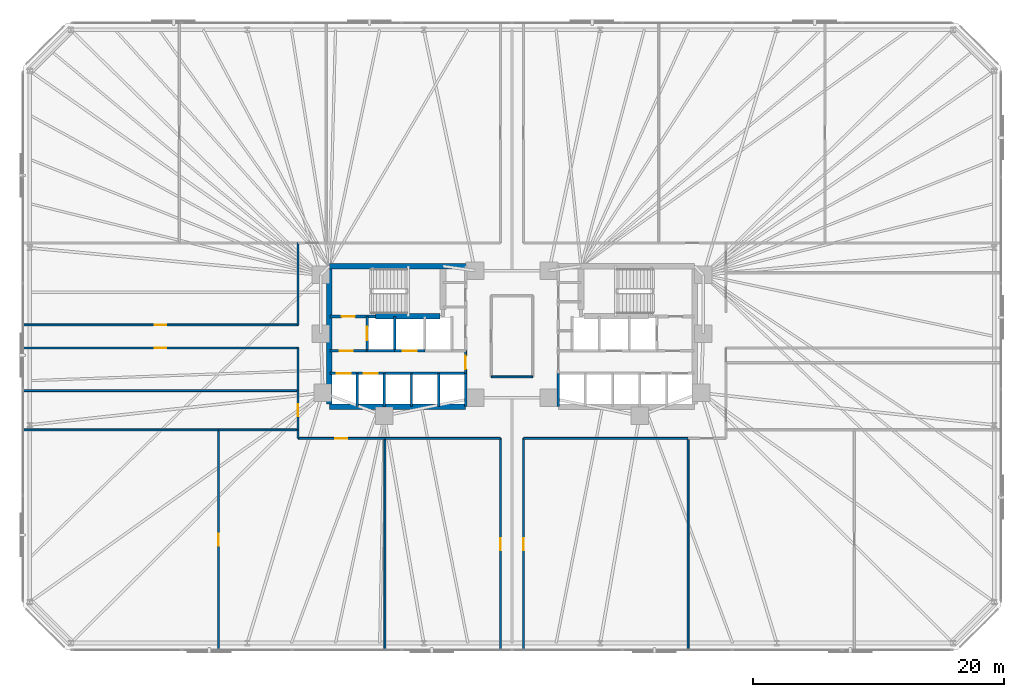
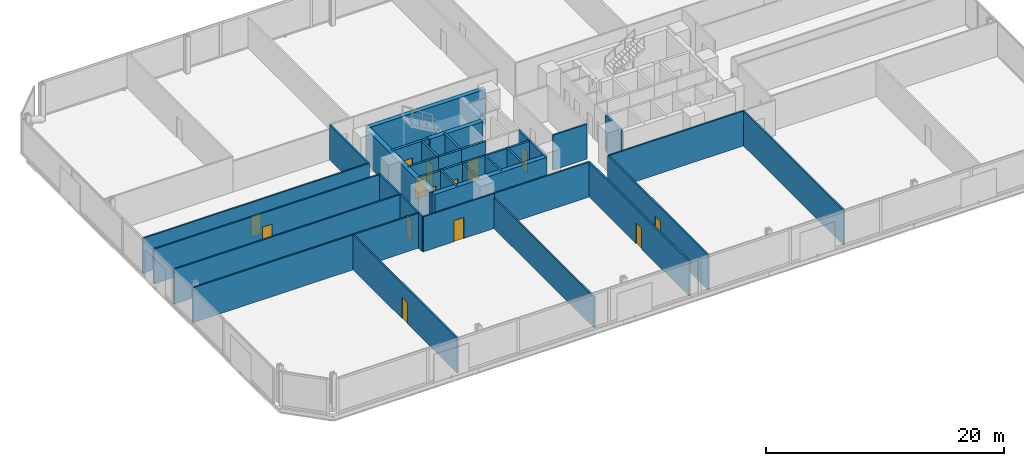
# One storey, part 12 of 17: 36 walls, 14 doors, 14 openings.
"""IFC4 building model written with IfcOpenShell, lengths in metres."""

from ifc_helpers import new_model, si_unit, direction, frame, frame_2d, origin, place, context, subcontext, project, spatial, rectangle, extrude, material, layer, layer_set, type_object, element, fill, save


model = new_model("IFC4")

# Units and contexts
model_context = context("Model", 3, precision=1e-05, world=origin(), true_north=direction((0.0, 1.0)))
body_context = subcontext(model_context, "Body", "Model", "MODEL_VIEW")
ifc_project = project(units=[si_unit("LENGTHUNIT", "METRE"), si_unit("AREAUNIT", "SQUARE_METRE"), si_unit("VOLUMEUNIT", "CUBIC_METRE"), si_unit("PLANEANGLEUNIT", "RADIAN"), si_unit("MASSUNIT", "GRAM", prefix="KILO")], contexts=[model_context])

# Site, building, storey
site_placement = place(None, origin())
site = spatial("IfcSite", under=ifc_project, at=site_placement, CompositionType="ELEMENT")
building_placement = place(site_placement, origin())
building = spatial("IfcBuilding", under=site, at=building_placement, Name="Menara Jurai Vektor", CompositionType="ELEMENT")
storey_placement = place(building_placement, frame((0.0, 0.0, 18.0)))
storey = spatial("IfcBuildingStorey", under=building, at=storey_placement, Name="L03", CompositionType="ELEMENT", Elevation=18.0)

# Wall, opening, door
ifc_material_1 = material(Name="Concrete C40/50", Category="concrete")
ifc_layer_1 = layer(ifc_material_1, 0.25)
ifc_layer_set_1 = layer_set([ifc_layer_1], Name="Concrete C40/50")
wall_type_1 = type_object("IfcWallType", Name="INT-WALL-CORE-250", PredefinedType="STANDARD", material=ifc_layer_set_1)
wall_1_placement = place(storey_placement, frame((-14.5, 1.60009765625, 0.0), z_axis=(0.0, 0.0, 1.0), x_axis=(1.0, 0.0, 0.0)))
wall_1 = element("IfcWall", 1, at=wall_1_placement, inside=storey, type_object=wall_type_1, Name="Interior Wall IW-250 L03", PredefinedType="STANDARD", context=body_context, shape_type="SweptSolid", body=[
    extrude(rectangle(XDim=3.60009765625, YDim=0.25, at=frame_2d((1.800048828125, 0.0))), origin(), (0.0, 0.0, 1.0), 3.574951171875),
])
opening_1_placement = place(wall_1_placement, frame((0.919921875, 0.0, 0.0)))
opening_1 = element("IfcOpeningElement", 2, at=opening_1_placement, cuts=wall_1, Name="Opening D-L03-ST1", PredefinedType="OPENING", context=body_context, shape_type="SweptSolid", body=[
    extrude(rectangle(XDim=1.050048828125, YDim=2.14990234375, at=frame_2d((0.52490234375, 1.074951171875))), frame((0.0, 0.135009765625, 0.0), z_axis=(0.0, -1.0, 0.0), x_axis=(1.0, 0.0, 0.0)), (0.0, 0.0, 1.0), 0.27001953125),
])
ifc_material_2 = material(Name="Fire-Rated Steel Door", Category="steel")
door_type_1 = type_object("IfcDoorType", Name="DR-STAIR-1050", OperationType="NOTDEFINED", PredefinedType="DOOR", material=ifc_material_2)
door_1_placement = place(opening_1_placement, origin())
door_1 = element("IfcDoor", 3, at=door_1_placement, inside=storey, type_object=door_type_1, Name="Exit Stair ST1 Door L03", OperationType="SINGLE_SWING_RIGHT", OverallHeight=2.14990234375, OverallWidth=1.050048828125, PredefinedType="DOOR", context=body_context, shape_type="SweptSolid", body=[
    extrude(rectangle(XDim=1.050048828125, YDim=2.14990234375, at=frame_2d((0.52490234375, 1.074951171875))), frame((0.0, 0.02490234375, 0.0), z_axis=(0.0, -1.0, 0.0), x_axis=(1.0, 0.0, 0.0)), (0.0, 0.0, 1.0), 0.050048828125),
])
fill(opening_1, door_1)

wall_2_placement = place(storey_placement, frame((-11.550048828125, -1.14990234375, 0.0), z_axis=(0.0, 0.0, 1.0), x_axis=(0.0, 1.0, 0.0)))
wall_2 = element("IfcWall", 4, at=wall_2_placement, inside=storey, type_object=wall_type_1, Name="Interior Wall IW-250 L03", PredefinedType="STANDARD", context=body_context, shape_type="SweptSolid", body=[
    extrude(rectangle(XDim=2.75, YDim=0.199951171875, at=frame_2d((1.375, 0.0))), origin(), (0.0, 0.0, 1.0), 3.574951171875),
])
opening_2_placement = place(wall_2_placement, frame((0.824951171875, 0.0, 0.0)))
opening_2 = element("IfcOpeningElement", 5, at=opening_2_placement, cuts=wall_2, Name="Opening LD-L03-FL1", PredefinedType="OPENING", context=body_context, shape_type="SweptSolid", body=[
    extrude(rectangle(XDim=1.10009765625, YDim=2.14990234375, at=frame_2d((0.550048828125, 1.074951171875))), frame((0.0, 0.10986328125, 0.0), z_axis=(0.0, -1.0, 0.0), x_axis=(1.0, 0.0, 0.0)), (0.0, 0.0, 1.0), 0.219970703125),
])
ifc_material_3 = material(Name="Stainless Steel Sliding Lift Landing Door", Category="steel")
door_type_2 = type_object("IfcDoorType", Name="DR-LIFT-FIRE-1100", OperationType="NOTDEFINED", PredefinedType="DOOR", material=ifc_material_3)
door_2_placement = place(opening_2_placement, origin())
door_2 = element("IfcDoor", 6, at=door_2_placement, inside=storey, type_object=door_type_2, Name="Lift Landing Door FL1 L03", OperationType="SLIDING_TO_RIGHT", OverallHeight=2.14990234375, OverallWidth=1.10009765625, PredefinedType="DOOR", context=body_context, shape_type="SweptSolid", body=[
    extrude(rectangle(XDim=1.10009765625, YDim=2.14990234375, at=frame_2d((0.550048828125, 1.074951171875))), frame((0.0, 0.02490234375, 0.0), z_axis=(0.0, -1.0, 0.0), x_axis=(1.0, 0.0, 0.0)), (0.0, 0.0, 1.0), 0.050048828125),
])
fill(opening_2, door_2)

# Wall
wall_3_placement = place(storey_placement, frame((-9.35009765625, -1.14990234375, 0.0), z_axis=(0.0, 0.0, 1.0), x_axis=(0.0, 1.0, 0.0)))
element("IfcWall", 7, at=wall_3_placement, inside=storey, type_object=wall_type_1, Name="Interior Wall IW-250 L03", PredefinedType="STANDARD", context=body_context, shape_type="SweptSolid", body=[
    extrude(rectangle(XDim=2.75, YDim=0.199951171875, at=frame_2d((1.375, 0.0))), origin(), (0.0, 0.0, 1.0), 3.574951171875),
])

# Wall, opening, door
wall_4_placement = place(storey_placement, frame((-14.5, -1.14990234375, 0.0), z_axis=(0.0, 0.0, 1.0), x_axis=(1.0, 0.0, 0.0)))
wall_4 = element("IfcWall", 8, at=wall_4_placement, inside=storey, type_object=wall_type_1, Name="Interior Wall IW-250 L03", PredefinedType="STANDARD", context=body_context, shape_type="SweptSolid", body=[
    extrude(rectangle(XDim=2.949951171875, YDim=0.199951171875, at=frame_2d((1.47509765625, 0.0))), origin(), (0.0, 0.0, 1.0), 3.574951171875),
])
opening_3_placement = place(wall_4_placement, frame((0.75, 0.0, 0.0)))
opening_3 = element("IfcOpeningElement", 9, at=opening_3_placement, cuts=wall_4, Name="Opening D-L03-FFW", PredefinedType="OPENING", context=body_context, shape_type="SweptSolid", body=[
    extrude(rectangle(XDim=1.050048828125, YDim=2.179931640625, at=frame_2d((0.52490234375, 1.08984375))), frame((0.0, 0.10986328125, 0.0), z_axis=(0.0, -1.0, 0.0), x_axis=(1.0, 0.0, 0.0)), (0.0, 0.0, 1.0), 0.219970703125),
])
ifc_material_4 = material(Name="Fire-Rated Timber Door", Category="wood")
door_type_3 = type_object("IfcDoorType", Name="DR-LOBBY-1050", OperationType="NOTDEFINED", PredefinedType="DOOR", material=ifc_material_4)
door_3_placement = place(opening_3_placement, origin())
door_3 = element("IfcDoor", 10, at=door_3_placement, inside=storey, type_object=door_type_3, Name="Fire Lift Lobby Door W L03", OperationType="SINGLE_SWING_RIGHT", OverallHeight=2.179931640625, OverallWidth=1.050048828125, PredefinedType="DOOR", context=body_context, shape_type="SweptSolid", body=[
    extrude(rectangle(XDim=1.050048828125, YDim=2.179931640625, at=frame_2d((0.52490234375, 1.08984375))), frame((0.0, 0.02490234375, 0.0), z_axis=(0.0, -1.0, 0.0), x_axis=(1.0, 0.0, 0.0)), (0.0, 0.0, 1.0), 0.050048828125),
])
fill(opening_3, door_3)

# Wall
wall_5_placement = place(storey_placement, frame((-11.550048828125, -1.14990234375, 0.0), z_axis=(0.0, 0.0, 1.0), x_axis=(1.0, 0.0, 0.0)))
element("IfcWall", 11, at=wall_5_placement, inside=storey, type_object=wall_type_1, Name="Interior Wall IW-250 L03", PredefinedType="STANDARD", context=body_context, shape_type="SweptSolid", body=[
    extrude(rectangle(XDim=2.199951171875, YDim=0.199951171875, at=frame_2d((1.10009765625, 0.0))), origin(), (0.0, 0.0, 1.0), 3.574951171875),
])

# Wall, opening, door
ifc_material_5 = material(Name="Gypsum Fireboard Partition", Category="gypsum")
ifc_layer_2 = layer(ifc_material_5, 0.14990234375)
ifc_layer_set_2 = layer_set([ifc_layer_2], Name="Gypsum Fireboard Partition")
wall_type_2 = type_object("IfcWallType", Name="INT-WALL-CORR-150", PredefinedType="PARTITIONING", material=ifc_layer_set_2)
wall_6_placement = place(storey_placement, frame((-3.699951171875, -2.949951171875, 0.0), z_axis=(0.0, 0.0, 1.0), x_axis=(0.0, 1.0, 0.0)))
wall_6 = element("IfcWall", 12, at=wall_6_placement, inside=storey, type_object=wall_type_2, Name="Interior Wall IW-150 L03", PredefinedType="PARTITIONING", context=body_context, shape_type="SweptSolid", body=[
    extrude(rectangle(XDim=1.800048828125, YDim=0.14990234375, at=frame_2d((0.89990234375, 0.0))), origin(), (0.0, 0.0, 1.0), 3.574951171875),
])
opening_4_placement = place(wall_6_placement, frame((0.35009765625, 0.0, 0.0)))
opening_4 = element("IfcOpeningElement", 13, at=opening_4_placement, cuts=wall_6, Name="Opening D-L03-LLW", PredefinedType="OPENING", context=body_context, shape_type="SweptSolid", body=[
    extrude(rectangle(XDim=1.050048828125, YDim=2.179931640625, at=frame_2d((0.52490234375, 1.08984375))), frame((0.0, 0.0849609375, 0.0), z_axis=(0.0, -1.0, 0.0), x_axis=(1.0, 0.0, 0.0)), (0.0, 0.0, 1.0), 0.169921875),
])
door_4_placement = place(opening_4_placement, origin())
door_4 = element("IfcDoor", 14, at=door_4_placement, inside=storey, type_object=door_type_3, Name="Lift Lobby Corridor Door W L03", OperationType="SINGLE_SWING_LEFT", OverallHeight=2.179931640625, OverallWidth=1.050048828125, PredefinedType="DOOR", context=body_context, shape_type="SweptSolid", body=[
    extrude(rectangle(XDim=1.050048828125, YDim=2.179931640625, at=frame_2d((0.52490234375, 1.08984375))), frame((0.0, 0.02490234375, 0.0), z_axis=(0.0, -1.0, 0.0), x_axis=(1.0, 0.0, 0.0)), (0.0, 0.0, 1.0), 0.050048828125),
])
fill(opening_4, door_4)

# Walls
wall_7_placement = place(storey_placement, frame((-1.64990234375, -3.22998046875, 0.0), z_axis=(0.0, 0.0, 1.0), x_axis=(1.0, 0.0, 0.0)))
element("IfcWall", 15, at=wall_7_placement, inside=storey, type_object=wall_type_2, Name="Interior Wall IW-150 L03", PredefinedType="PARTITIONING", context=body_context, shape_type="SweptSolid", body=[
    extrude(rectangle(XDim=3.2998046875, YDim=0.14990234375, at=frame_2d((1.64990234375, 0.0))), origin(), (0.0, 0.0, 1.0), 3.574951171875),
])
wall_8_placement = place(storey_placement, frame((-17.05908203125, -8.1298828125, 0.0), z_axis=(0.0, 0.0, 1.0), x_axis=(0.0, 1.0, 0.0)))
element("IfcWall", 16, at=wall_8_placement, inside=storey, type_object=wall_type_2, Name="Interior Wall IW-150 L03", PredefinedType="PARTITIONING", context=body_context, shape_type="SweptSolid", body=[
    extrude(rectangle(XDim=0.679931640625, YDim=0.14990234375, at=frame_2d((0.33984375, 0.0))), origin(), (0.0, 0.0, 1.0), 3.574951171875),
])

# Wall, opening, door
wall_9_placement = place(storey_placement, frame((-17.05908203125, -8.1298828125, 0.0), z_axis=(0.0, 0.0, 1.0), x_axis=(1.0, 0.0, 0.0)))
wall_9 = element("IfcWall", 17, at=wall_9_placement, inside=storey, type_object=wall_type_2, Name="Interior Wall IW-150 L03", PredefinedType="PARTITIONING", context=body_context, shape_type="SweptSolid", body=[
    extrude(rectangle(XDim=6.919189453125, YDim=0.14990234375, at=frame_2d((3.45947265625, 0.0))), origin(), (0.0, 0.0, 1.0), 3.574951171875),
])
opening_5_placement = place(wall_9_placement, frame((2.984619140625, 0.0, 0.0)))
opening_5 = element("IfcOpeningElement", 18, at=opening_5_placement, cuts=wall_9, Name="Opening D03-11", PredefinedType="OPENING", context=body_context, shape_type="SweptSolid", body=[
    extrude(rectangle(XDim=0.949951171875, YDim=2.14990234375, at=frame_2d((0.47509765625, 1.074951171875))), frame((0.0, 0.0849609375, 0.0), z_axis=(0.0, -1.0, 0.0), x_axis=(1.0, 0.0, 0.0)), (0.0, 0.0, 1.0), 0.169921875),
])
ifc_material_6 = material(Name="Solid Core Timber Fire Door", Category="wood")
door_type_4 = type_object("IfcDoorType", Name="DR-ENTRY-950", OperationType="NOTDEFINED", PredefinedType="DOOR", material=ifc_material_6)
door_5_placement = place(opening_5_placement, origin())
door_5 = element("IfcDoor", 19, at=door_5_placement, inside=storey, type_object=door_type_4, Name="Interior Door D03-11", OperationType="SINGLE_SWING_RIGHT", OverallHeight=2.14990234375, OverallWidth=0.949951171875, PredefinedType="DOOR", context=body_context, shape_type="SweptSolid", body=[
    extrude(rectangle(XDim=0.949951171875, YDim=2.14990234375, at=frame_2d((0.47509765625, 1.074951171875))), frame((0.0, 0.02490234375, 0.0), z_axis=(0.0, -1.0, 0.0), x_axis=(1.0, 0.0, 0.0)), (0.0, 0.0, 1.0), 0.050048828125),
])
fill(opening_5, door_5)

# Wall
wall_10_placement = place(storey_placement, frame((-10.139892578125, -8.1298828125, 0.0), z_axis=(0.0, 0.0, 1.0), x_axis=(1.0, 0.0, 0.0)))
element("IfcWall", 20, at=wall_10_placement, inside=storey, type_object=wall_type_2, Name="Interior Wall IW-150 L03", PredefinedType="PARTITIONING", context=body_context, shape_type="SweptSolid", body=[
    extrude(rectangle(XDim=9.219970703125, YDim=0.14990234375, at=frame_2d((4.60986328125, 0.0))), origin(), (0.0, 0.0, 1.0), 3.574951171875),
])

# Wall, opening, door
wall_11_placement = place(storey_placement, frame((-0.919921875, -25.0, 0.0), z_axis=(0.0, 0.0, 1.0), x_axis=(0.0, 1.0, 0.0)))
wall_11 = element("IfcWall", 21, at=wall_11_placement, inside=storey, type_object=wall_type_2, Name="Interior Wall IW-150 L03", PredefinedType="PARTITIONING", context=body_context, shape_type="SweptSolid", body=[
    extrude(rectangle(XDim=16.8701171875, YDim=0.14990234375, at=frame_2d((8.43505859375, 0.0))), origin(), (0.0, 0.0, 1.0), 3.574951171875),
])
opening_6_placement = place(wall_11_placement, frame((7.9599609375, 0.0, 0.0)))
opening_6 = element("IfcOpeningElement", 22, at=opening_6_placement, cuts=wall_11, Name="Opening D03-12", PredefinedType="OPENING", context=body_context, shape_type="SweptSolid", body=[
    extrude(rectangle(XDim=0.949951171875, YDim=2.14990234375, at=frame_2d((0.47509765625, 1.074951171875))), frame((0.0, 0.0849609375, 0.0), z_axis=(0.0, -1.0, 0.0), x_axis=(1.0, 0.0, 0.0)), (0.0, 0.0, 1.0), 0.169921875),
])
door_6_placement = place(opening_6_placement, origin())
door_6 = element("IfcDoor", 23, at=door_6_placement, inside=storey, type_object=door_type_4, Name="Interior Door D03-12", OperationType="SINGLE_SWING_LEFT", OverallHeight=2.14990234375, OverallWidth=0.949951171875, PredefinedType="DOOR", context=body_context, shape_type="SweptSolid", body=[
    extrude(rectangle(XDim=0.949951171875, YDim=2.14990234375, at=frame_2d((0.47509765625, 1.074951171875))), frame((0.0, 0.02490234375, 0.0), z_axis=(0.0, -1.0, 0.0), x_axis=(1.0, 0.0, 0.0)), (0.0, 0.0, 1.0), 0.050048828125),
])
fill(opening_6, door_6)

wall_12_placement = place(storey_placement, frame((0.919921875, -25.0, 0.0), z_axis=(0.0, 0.0, 1.0), x_axis=(0.0, 1.0, 0.0)))
wall_12 = element("IfcWall", 24, at=wall_12_placement, inside=storey, type_object=wall_type_2, Name="Interior Wall IW-150 L03", PredefinedType="PARTITIONING", context=body_context, shape_type="SweptSolid", body=[
    extrude(rectangle(XDim=16.8701171875, YDim=0.14990234375, at=frame_2d((8.43505859375, 0.0))), origin(), (0.0, 0.0, 1.0), 3.574951171875),
])
opening_7_placement = place(wall_12_placement, frame((7.9599609375, 0.0, 0.0)))
opening_7 = element("IfcOpeningElement", 25, at=opening_7_placement, cuts=wall_12, Name="Opening D03-13", PredefinedType="OPENING", context=body_context, shape_type="SweptSolid", body=[
    extrude(rectangle(XDim=0.949951171875, YDim=2.14990234375, at=frame_2d((0.47509765625, 1.074951171875))), frame((0.0, 0.0849609375, 0.0), z_axis=(0.0, -1.0, 0.0), x_axis=(1.0, 0.0, 0.0)), (0.0, 0.0, 1.0), 0.169921875),
])
door_7_placement = place(opening_7_placement, origin())
door_7 = element("IfcDoor", 26, at=door_7_placement, inside=storey, type_object=door_type_4, Name="Interior Door D03-13", OperationType="SINGLE_SWING_RIGHT", OverallHeight=2.14990234375, OverallWidth=0.949951171875, PredefinedType="DOOR", context=body_context, shape_type="SweptSolid", body=[
    extrude(rectangle(XDim=0.949951171875, YDim=2.14990234375, at=frame_2d((0.47509765625, 1.074951171875))), frame((0.0, 0.02490234375, 0.0), z_axis=(0.0, -1.0, 0.0), x_axis=(1.0, 0.0, 0.0)), (0.0, 0.0, 1.0), 0.050048828125),
])
fill(opening_7, door_7)

# Wall
wall_13_placement = place(storey_placement, frame((0.919921875, -8.1298828125, 0.0), z_axis=(0.0, 0.0, 1.0), x_axis=(1.0, 0.0, 0.0)))
element("IfcWall", 27, at=wall_13_placement, inside=storey, type_object=wall_type_2, Name="Interior Wall IW-150 L03", PredefinedType="PARTITIONING", context=body_context, shape_type="SweptSolid", body=[
    extrude(rectangle(XDim=13.1201171875, YDim=0.14990234375, at=frame_2d((6.56005859375, 0.0))), origin(), (0.0, 0.0, 1.0), 3.574951171875),
])

# Wall, opening, door
wall_14_placement = place(storey_placement, frame((-17.05908203125, -7.449951171875, 0.0), z_axis=(0.0, 0.0, 1.0), x_axis=(0.0, 1.0, 0.0)))
wall_14 = element("IfcWall", 28, at=wall_14_placement, inside=storey, type_object=wall_type_2, Name="Interior Wall IW-150 L03", PredefinedType="PARTITIONING", context=body_context, shape_type="SweptSolid", body=[
    extrude(rectangle(XDim=3.12890625, YDim=0.14990234375, at=frame_2d((1.564453125, 0.0))), origin(), (0.0, 0.0, 1.0), 3.574951171875),
])
opening_8_placement = place(wall_14_placement, frame((1.089599609375, 0.0, 0.0)))
opening_8 = element("IfcOpeningElement", 29, at=opening_8_placement, cuts=wall_14, Name="Opening D03-15", PredefinedType="OPENING", context=body_context, shape_type="SweptSolid", body=[
    extrude(rectangle(XDim=0.949951171875, YDim=2.14990234375, at=frame_2d((0.47509765625, 1.074951171875))), frame((0.0, 0.0849609375, 0.0), z_axis=(0.0, -1.0, 0.0), x_axis=(1.0, 0.0, 0.0)), (0.0, 0.0, 1.0), 0.169921875),
])
door_8_placement = place(opening_8_placement, origin())
door_8 = element("IfcDoor", 30, at=door_8_placement, inside=storey, type_object=door_type_4, Name="Interior Door D03-15", OperationType="SINGLE_SWING_RIGHT", OverallHeight=2.14990234375, OverallWidth=0.949951171875, PredefinedType="DOOR", context=body_context, shape_type="SweptSolid", body=[
    extrude(rectangle(XDim=0.949951171875, YDim=2.14990234375, at=frame_2d((0.47509765625, 1.074951171875))), frame((0.0, 0.02490234375, 0.0), z_axis=(0.0, -1.0, 0.0), x_axis=(1.0, 0.0, 0.0)), (0.0, 0.0, 1.0), 0.050048828125),
])
fill(opening_8, door_8)

wall_15_placement = place(storey_placement, frame((-39.0, -0.919921875, 0.0), z_axis=(0.0, 0.0, 1.0), x_axis=(1.0, 0.0, 0.0)))
wall_15 = element("IfcWall", 31, at=wall_15_placement, inside=storey, type_object=wall_type_2, Name="Interior Wall IW-150 L03", PredefinedType="PARTITIONING", context=body_context, shape_type="SweptSolid", body=[
    extrude(rectangle(XDim=21.94091796875, YDim=0.14990234375, at=frame_2d((10.970458984375, 0.0))), origin(), (0.0, 0.0, 1.0), 3.574951171875),
])
opening_9_placement = place(wall_15_placement, frame((10.49560546875, 0.0, 0.0)))
opening_9 = element("IfcOpeningElement", 32, at=opening_9_placement, cuts=wall_15, Name="Opening D03-16", PredefinedType="OPENING", context=body_context, shape_type="SweptSolid", body=[
    extrude(rectangle(XDim=0.949951171875, YDim=2.14990234375, at=frame_2d((0.47509765625, 1.074951171875))), frame((0.0, 0.0849609375, 0.0), z_axis=(0.0, -1.0, 0.0), x_axis=(1.0, 0.0, 0.0)), (0.0, 0.0, 1.0), 0.169921875),
])
door_9_placement = place(opening_9_placement, origin())
door_9 = element("IfcDoor", 33, at=door_9_placement, inside=storey, type_object=door_type_4, Name="Interior Door D03-16", OperationType="SINGLE_SWING_LEFT", OverallHeight=2.14990234375, OverallWidth=0.949951171875, PredefinedType="DOOR", context=body_context, shape_type="SweptSolid", body=[
    extrude(rectangle(XDim=0.949951171875, YDim=2.14990234375, at=frame_2d((0.47509765625, 1.074951171875))), frame((0.0, 0.02490234375, 0.0), z_axis=(0.0, -1.0, 0.0), x_axis=(1.0, 0.0, 0.0)), (0.0, 0.0, 1.0), 0.050048828125),
])
fill(opening_9, door_9)

# Wall
wall_16_placement = place(storey_placement, frame((-17.05908203125, -4.321044921875, 0.0), z_axis=(0.0, 0.0, 1.0), x_axis=(0.0, 1.0, 0.0)))
element("IfcWall", 34, at=wall_16_placement, inside=storey, type_object=wall_type_2, Name="Interior Wall IW-150 L03", PredefinedType="PARTITIONING", context=body_context, shape_type="SweptSolid", body=[
    extrude(rectangle(XDim=3.401123046875, YDim=0.14990234375, at=frame_2d((1.70068359375, 0.0))), origin(), (0.0, 0.0, 1.0), 3.574951171875),
])

# Wall, opening, door
wall_17_placement = place(storey_placement, frame((-39.0, 0.919921875, 0.0), z_axis=(0.0, 0.0, 1.0), x_axis=(1.0, 0.0, 0.0)))
wall_17 = element("IfcWall", 35, at=wall_17_placement, inside=storey, type_object=wall_type_2, Name="Interior Wall IW-150 L03", PredefinedType="PARTITIONING", context=body_context, shape_type="SweptSolid", body=[
    extrude(rectangle(XDim=21.94091796875, YDim=0.14990234375, at=frame_2d((10.970458984375, 0.0))), origin(), (0.0, 0.0, 1.0), 3.574951171875),
])
opening_10_placement = place(wall_17_placement, frame((10.49560546875, 0.0, 0.0)))
opening_10 = element("IfcOpeningElement", 36, at=opening_10_placement, cuts=wall_17, Name="Opening D03-17", PredefinedType="OPENING", context=body_context, shape_type="SweptSolid", body=[
    extrude(rectangle(XDim=0.949951171875, YDim=2.14990234375, at=frame_2d((0.47509765625, 1.074951171875))), frame((0.0, 0.0849609375, 0.0), z_axis=(0.0, -1.0, 0.0), x_axis=(1.0, 0.0, 0.0)), (0.0, 0.0, 1.0), 0.169921875),
])
door_10_placement = place(opening_10_placement, origin())
door_10 = element("IfcDoor", 37, at=door_10_placement, inside=storey, type_object=door_type_4, Name="Interior Door D03-17", OperationType="SINGLE_SWING_RIGHT", OverallHeight=2.14990234375, OverallWidth=0.949951171875, PredefinedType="DOOR", context=body_context, shape_type="SweptSolid", body=[
    extrude(rectangle(XDim=0.949951171875, YDim=2.14990234375, at=frame_2d((0.47509765625, 1.074951171875))), frame((0.0, 0.02490234375, 0.0), z_axis=(0.0, -1.0, 0.0), x_axis=(1.0, 0.0, 0.0)), (0.0, 0.0, 1.0), 0.050048828125),
])
fill(opening_10, door_10)

# Wall
wall_18_placement = place(storey_placement, frame((-17.05908203125, 0.919921875, 0.0), z_axis=(0.0, 0.0, 1.0), x_axis=(0.0, 1.0, 0.0)))
element("IfcWall", 38, at=wall_18_placement, inside=storey, type_object=wall_type_2, Name="Interior Wall IW-150 L03", PredefinedType="PARTITIONING", context=body_context, shape_type="SweptSolid", body=[
    extrude(rectangle(XDim=6.530029296875, YDim=0.14990234375, at=frame_2d((3.26513671875, 0.0))), origin(), (0.0, 0.0, 1.0), 3.574951171875),
])

# Wall, opening, door
wall_19_placement = place(storey_placement, frame((-23.39990234375, -25.0, 0.0), z_axis=(0.0, 0.0, 1.0), x_axis=(0.0, 1.0, 0.0)))
wall_19 = element("IfcWall", 39, at=wall_19_placement, inside=storey, type_object=wall_type_2, Name="Interior Wall IW-150 L03", PredefinedType="PARTITIONING", context=body_context, shape_type="SweptSolid", body=[
    extrude(rectangle(XDim=17.550048828125, YDim=0.14990234375, at=frame_2d((8.77490234375, 0.0))), origin(), (0.0, 0.0, 1.0), 3.574951171875),
])
opening_11_placement = place(wall_19_placement, frame((8.300048828125, 0.0, 0.0)))
opening_11 = element("IfcOpeningElement", 40, at=opening_11_placement, cuts=wall_19, Name="Opening D03-24", PredefinedType="OPENING", context=body_context, shape_type="SweptSolid", body=[
    extrude(rectangle(XDim=0.949951171875, YDim=2.14990234375, at=frame_2d((0.47509765625, 1.074951171875))), frame((0.0, 0.0849609375, 0.0), z_axis=(0.0, -1.0, 0.0), x_axis=(1.0, 0.0, 0.0)), (0.0, 0.0, 1.0), 0.169921875),
])
door_11_placement = place(opening_11_placement, origin())
door_11 = element("IfcDoor", 41, at=door_11_placement, inside=storey, type_object=door_type_4, Name="Interior Door D03-24", OperationType="SINGLE_SWING_LEFT", OverallHeight=2.14990234375, OverallWidth=0.949951171875, PredefinedType="DOOR", context=body_context, shape_type="SweptSolid", body=[
    extrude(rectangle(XDim=0.949951171875, YDim=2.14990234375, at=frame_2d((0.47509765625, 1.074951171875))), frame((0.0, 0.02490234375, 0.0), z_axis=(0.0, -1.0, 0.0), x_axis=(1.0, 0.0, 0.0)), (0.0, 0.0, 1.0), 0.050048828125),
])
fill(opening_11, door_11)

# Walls
wall_20_placement = place(storey_placement, frame((-39.0, -7.449951171875, 0.0), z_axis=(0.0, 0.0, 1.0), x_axis=(1.0, 0.0, 0.0)))
element("IfcWall", 42, at=wall_20_placement, inside=storey, type_object=wall_type_2, Name="Interior Wall IW-150 L03", PredefinedType="PARTITIONING", context=body_context, shape_type="SweptSolid", body=[
    extrude(rectangle(XDim=15.60009765625, YDim=0.14990234375, at=frame_2d((7.800048828125, 0.0))), origin(), (0.0, 0.0, 1.0), 3.574951171875),
])
wall_21_placement = place(storey_placement, frame((-23.39990234375, -7.449951171875, 0.0), z_axis=(0.0, 0.0, 1.0), x_axis=(1.0, 0.0, 0.0)))
element("IfcWall", 43, at=wall_21_placement, inside=storey, type_object=wall_type_2, Name="Interior Wall IW-150 L03", PredefinedType="PARTITIONING", context=body_context, shape_type="SweptSolid", body=[
    extrude(rectangle(XDim=6.3408203125, YDim=0.14990234375, at=frame_2d((3.17041015625, 0.0))), origin(), (0.0, 0.0, 1.0), 3.574951171875),
])
wall_22_placement = place(storey_placement, frame((14.0400390625, -25.0, 0.0), z_axis=(0.0, 0.0, 1.0), x_axis=(0.0, 1.0, 0.0)))
element("IfcWall", 44, at=wall_22_placement, inside=storey, type_object=wall_type_2, Name="Interior Wall IW-150 L03", PredefinedType="PARTITIONING", context=body_context, shape_type="SweptSolid", body=[
    extrude(rectangle(XDim=16.8701171875, YDim=0.14990234375, at=frame_2d((8.43505859375, 0.0))), origin(), (0.0, 0.0, 1.0), 3.574951171875),
])
wall_23_placement = place(storey_placement, frame((-39.0, -4.321044921875, 0.0), z_axis=(0.0, 0.0, 1.0), x_axis=(1.0, 0.0, 0.0)))
element("IfcWall", 45, at=wall_23_placement, inside=storey, type_object=wall_type_2, Name="Interior Wall IW-150 L03", PredefinedType="PARTITIONING", context=body_context, shape_type="SweptSolid", body=[
    extrude(rectangle(XDim=21.94091796875, YDim=0.14990234375, at=frame_2d((10.970458984375, 0.0))), origin(), (0.0, 0.0, 1.0), 3.574951171875),
])
ifc_layer_3 = layer(ifc_material_5, 0.14990234375)
ifc_layer_set_3 = layer_set([ifc_layer_3], Name="Gypsum Fireboard Partition")
wall_type_3 = type_object("IfcWallType", Name="INT-WALL-CORR-150-H1", PredefinedType="PARTITIONING", material=ifc_layer_set_3)
wall_24_placement = place(storey_placement, frame((-10.139892578125, -25.0, 0.0), z_axis=(0.0, 0.0, 1.0), x_axis=(0.0, 1.0, 0.0)))
element("IfcWall", 46, at=wall_24_placement, inside=storey, type_object=wall_type_3, Name="Interior Wall IW-150 L03", PredefinedType="PARTITIONING", context=body_context, shape_type="SweptSolid", body=[
    extrude(rectangle(XDim=16.8701171875, YDim=0.14990234375, at=frame_2d((8.43505859375, 0.0))), origin(), (0.0, 0.0, 1.0), 3.125),
])
ifc_layer_4 = layer(ifc_material_1, 0.199951171875)
ifc_layer_set_4 = layer_set([ifc_layer_4], Name="Concrete C40/50")
wall_type_4 = type_object("IfcWallType", Name="INT-WALL-SHAFT-200", PredefinedType="STANDARD", material=ifc_layer_set_4)
wall_25_placement = place(storey_placement, frame((-3.699951171875, -5.60009765625, 0.0), z_axis=(0.0, 0.0, 1.0), x_axis=(0.0, 1.0, 0.0)))
element("IfcWall", 47, at=wall_25_placement, inside=storey, type_object=wall_type_4, Name="Interior Wall IW-200 L03", PredefinedType="STANDARD", context=body_context, shape_type="SweptSolid", body=[
    extrude(rectangle(XDim=2.650146484375, YDim=0.199951171875, at=frame_2d((1.3251953125, 0.0))), origin(), (0.0, 0.0, 1.0), 3.574951171875),
])

# Wall, opening, door
wall_26_placement = place(storey_placement, frame((-9.35009765625, -1.14990234375, 0.0), z_axis=(0.0, 0.0, 1.0), x_axis=(1.0, 0.0, 0.0)))
wall_26 = element("IfcWall", 48, at=wall_26_placement, inside=storey, type_object=wall_type_4, Name="Interior Wall IW-200 L03", PredefinedType="STANDARD", context=body_context, shape_type="SweptSolid", body=[
    extrude(rectangle(XDim=2.400146484375, YDim=0.199951171875, at=frame_2d((1.2001953125, 0.0))), origin(), (0.0, 0.0, 1.0), 3.574951171875),
])
opening_12_placement = place(wall_26_placement, frame((0.64990234375, 0.0, 0.0)))
opening_12 = element("IfcOpeningElement", 49, at=opening_12_placement, cuts=wall_26, Name="Opening LD-L03-SVL1", PredefinedType="OPENING", context=body_context, shape_type="SweptSolid", body=[
    extrude(rectangle(XDim=1.10009765625, YDim=2.14990234375, at=frame_2d((0.550048828125, 1.074951171875))), frame((0.0, 0.10986328125, 0.0), z_axis=(0.0, -1.0, 0.0), x_axis=(1.0, 0.0, 0.0)), (0.0, 0.0, 1.0), 0.219970703125),
])
ifc_material_7 = material(Name="Anodised Stainless Sliding Lift Landing Door", Category="steel")
door_type_5 = type_object("IfcDoorType", Name="DR-LIFT-PASS-1100", OperationType="NOTDEFINED", PredefinedType="DOOR", material=ifc_material_7)
door_12_placement = place(opening_12_placement, origin())
door_12 = element("IfcDoor", 50, at=door_12_placement, inside=storey, type_object=door_type_5, Name="Lift Landing Door SVL1 L03", OperationType="SLIDING_TO_RIGHT", OverallHeight=2.14990234375, OverallWidth=1.10009765625, PredefinedType="DOOR", context=body_context, shape_type="SweptSolid", body=[
    extrude(rectangle(XDim=1.10009765625, YDim=2.14990234375, at=frame_2d((0.550048828125, 1.074951171875))), frame((0.0, 0.02490234375, 0.0), z_axis=(0.0, -1.0, 0.0), x_axis=(1.0, 0.0, 0.0)), (0.0, 0.0, 1.0), 0.050048828125),
])
fill(opening_12, door_12)

# Wall, openings, doors
wall_27_placement = place(storey_placement, frame((-14.5, -2.949951171875, 0.0), z_axis=(0.0, 0.0, 1.0), x_axis=(1.0, 0.0, 0.0)))
wall_27 = element("IfcWall", 51, at=wall_27_placement, inside=storey, type_object=wall_type_4, Name="Interior Wall IW-200 L03", PredefinedType="STANDARD", context=body_context, shape_type="SweptSolid", body=[
    extrude(rectangle(XDim=10.800048828125, YDim=0.199951171875, at=frame_2d((5.39990234375, 0.0))), origin(), (0.0, 0.0, 1.0), 3.574951171875),
])
opening_13_placement = place(wall_27_placement, frame((0.530029296875, 0.0, 0.0)))
opening_13 = element("IfcOpeningElement", 52, at=opening_13_placement, cuts=wall_27, Name="Opening LD-L03-PL1", PredefinedType="OPENING", context=body_context, shape_type="SweptSolid", body=[
    extrude(rectangle(XDim=1.10009765625, YDim=2.14990234375, at=frame_2d((0.550048828125, 1.074951171875))), frame((0.0, 0.10986328125, 0.0), z_axis=(0.0, -1.0, 0.0), x_axis=(1.0, 0.0, 0.0)), (0.0, 0.0, 1.0), 0.219970703125),
])
opening_14_placement = place(wall_27_placement, frame((2.68994140625, 0.0, 0.0)))
opening_14 = element("IfcOpeningElement", 53, at=opening_14_placement, cuts=wall_27, Name="Opening LD-L03-PL2", PredefinedType="OPENING", context=body_context, shape_type="SweptSolid", body=[
    extrude(rectangle(XDim=1.10009765625, YDim=2.14990234375, at=frame_2d((0.550048828125, 1.074951171875))), frame((0.0, 0.10986328125, 0.0), z_axis=(0.0, -1.0, 0.0), x_axis=(1.0, 0.0, 0.0)), (0.0, 0.0, 1.0), 0.219970703125),
])
door_13_placement = place(opening_13_placement, origin())
door_13 = element("IfcDoor", 54, at=door_13_placement, inside=storey, type_object=door_type_5, Name="Lift Landing Door PL1 L03", OperationType="SLIDING_TO_RIGHT", OverallHeight=2.14990234375, OverallWidth=1.10009765625, PredefinedType="DOOR", context=body_context, shape_type="SweptSolid", body=[
    extrude(rectangle(XDim=1.10009765625, YDim=2.14990234375, at=frame_2d((0.550048828125, 1.074951171875))), frame((0.0, 0.02490234375, 0.0), z_axis=(0.0, -1.0, 0.0), x_axis=(1.0, 0.0, 0.0)), (0.0, 0.0, 1.0), 0.050048828125),
])
fill(opening_13, door_13)
door_14_placement = place(opening_14_placement, origin())
door_14 = element("IfcDoor", 55, at=door_14_placement, inside=storey, type_object=door_type_5, Name="Lift Landing Door PL2 L03", OperationType="SLIDING_TO_RIGHT", OverallHeight=2.14990234375, OverallWidth=1.10009765625, PredefinedType="DOOR", context=body_context, shape_type="SweptSolid", body=[
    extrude(rectangle(XDim=1.10009765625, YDim=2.14990234375, at=frame_2d((0.550048828125, 1.074951171875))), frame((0.0, 0.02490234375, 0.0), z_axis=(0.0, -1.0, 0.0), x_axis=(1.0, 0.0, 0.0)), (0.0, 0.0, 1.0), 0.050048828125),
])
fill(opening_14, door_14)

# Walls
wall_28_placement = place(storey_placement, frame((-5.860107421875, -5.60009765625, 0.0), z_axis=(0.0, 0.0, 1.0), x_axis=(0.0, 1.0, 0.0)))
element("IfcWall", 56, at=wall_28_placement, inside=storey, type_object=wall_type_4, Name="Interior Wall IW-200 L03", PredefinedType="STANDARD", context=body_context, shape_type="SweptSolid", body=[
    extrude(rectangle(XDim=2.650146484375, YDim=0.199951171875, at=frame_2d((1.3251953125, 0.0))), origin(), (0.0, 0.0, 1.0), 3.574951171875),
])
for number, where, z_axis, x_axis, name in (
    (57, (-12.340087890625, -5.60009765625, 0.0), (0.0, 0.0, 1.0), (0.0, 1.0, 0.0), "Interior Wall IW-200 L03"),
    (58, (-10.179931640625, -5.60009765625, 0.0), (0.0, 0.0, 1.0), (0.0, 1.0, 0.0), "Interior Wall IW-200 L03"),
    (59, (-8.02001953125, -5.60009765625, 0.0), (0.0, 0.0, 1.0), (0.0, 1.0, 0.0), "Interior Wall IW-200 L03"),
):
    element("IfcWall", number, at=place(storey_placement, frame(where, z_axis=z_axis, x_axis=x_axis)), inside=storey, type_object=wall_type_4, Name=name, PredefinedType="STANDARD", context=body_context, shape_type="SweptSolid", body=[
        extrude(rectangle(XDim=2.650146484375, YDim=0.179931640625, at=frame_2d((1.3251953125, 0.0))), origin(), (0.0, 0.0, 1.0), 3.574951171875),
    ])
wall_29_placement = place(storey_placement, frame((3.699951171875, -5.60009765625, 0.0), z_axis=(0.0, 0.0, 1.0), x_axis=(0.0, 1.0, 0.0)))
element("IfcWall", 60, at=wall_29_placement, inside=storey, type_object=wall_type_4, Name="Interior Wall IW-200 L03", PredefinedType="STANDARD", context=body_context, shape_type="SweptSolid", body=[
    extrude(rectangle(XDim=2.650146484375, YDim=0.199951171875, at=frame_2d((1.3251953125, 0.0))), origin(), (0.0, 0.0, 1.0), 3.574951171875),
])
ifc_material_8 = material(Name="Concrete C60/75", Category="concrete")
ifc_layer_5 = layer(ifc_material_8, 0.449951171875)
ifc_layer_set_5 = layer_set([ifc_layer_5], Name="Concrete C60/75")
wall_type_5 = type_object("IfcWallType", Name="STR-WALL-CORE450", PredefinedType="SHEAR", material=ifc_layer_set_5)
wall_30_placement = place(storey_placement, frame((-14.56005859375, 5.60009765625, 0.0), z_axis=(0.0, 0.0, 1.0), x_axis=(1.0, 0.0, 0.0)))
element("IfcWall", 61, at=wall_30_placement, inside=storey, type_object=wall_type_5, Name="Core Shear Wall CW-W-N L03", PredefinedType="SHEAR", context=body_context, shape_type="SweptSolid", body=[
    extrude(rectangle(XDim=11.41015625, YDim=0.449951171875, at=frame_2d((5.705078125, 0.0))), origin(), (0.0, 0.0, 1.0), 3.574951171875),
])
wall_31_placement = place(storey_placement, frame((-14.56005859375, -5.60009765625, 0.0), z_axis=(0.0, 0.0, 1.0), x_axis=(1.0, 0.0, 0.0)))
element("IfcWall", 62, at=wall_31_placement, inside=storey, type_object=wall_type_5, Name="Core Shear Wall CW-W-S L03", PredefinedType="SHEAR", context=body_context, shape_type="SweptSolid", body=[
    extrude(rectangle(XDim=10.860107421875, YDim=0.449951171875, at=frame_2d((5.43017578125, 0.0))), origin(), (0.0, 0.0, 1.0), 3.574951171875),
])
wall_32_placement = place(storey_placement, frame((-14.56005859375, -5.375, 0.0), z_axis=(0.0, 0.0, 1.0), x_axis=(0.0, 1.0, 0.0)))
element("IfcWall", 63, at=wall_32_placement, inside=storey, type_object=wall_type_5, Name="Core Shear Wall CW-W-W L03", PredefinedType="SHEAR", context=body_context, shape_type="SweptSolid", body=[
    extrude(rectangle(XDim=10.75, YDim=0.449951171875, at=frame_2d((5.375, 0.0))), origin(), (0.0, 0.0, 1.0), 3.574951171875),
])
wall_33_placement = place(storey_placement, frame((-10.89990234375, 1.60009765625, 0.0), z_axis=(0.0, 0.0, 1.0), x_axis=(1.0, 0.0, 0.0)))
element("IfcWall", 64, at=wall_33_placement, inside=storey, type_object=wall_type_5, Name="Core Shear Wall CW-W-STS L03", PredefinedType="SHEAR", context=body_context, shape_type="SweptSolid", body=[
    extrude(rectangle(XDim=5.14990234375, YDim=0.449951171875, at=frame_2d((2.574951171875, 0.0))), origin(), (0.0, 0.0, 1.0), 3.574951171875),
])

save(model, "model.ifc")
